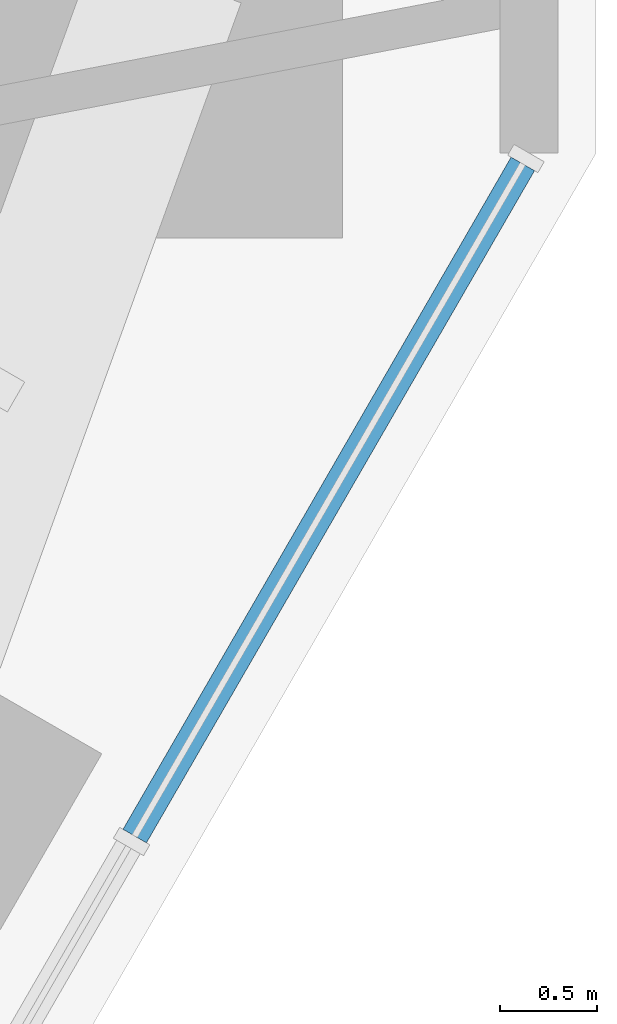
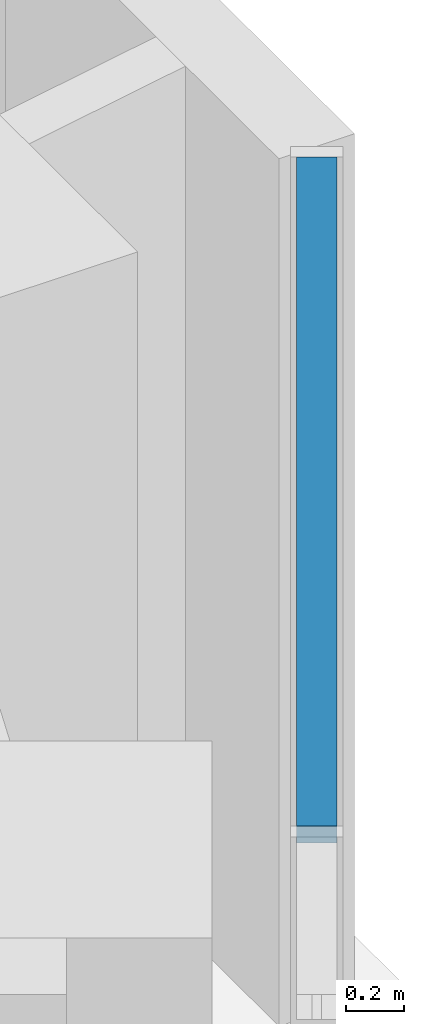
# One storey, part 6 of 17: 1 member, 1 element without a shape of its own.
"""IFC4 building model written with IfcOpenShell, lengths in metres."""

from ifc_helpers import new_model, si_unit, direction, frame, origin, origin_2d, place, context, subcontext, project, spatial, rectangle, extrude, material, material_profile, profile_set, type_object, element, aggregate, save


model = new_model("IFC4")

# Units and contexts
model_context = context("Model", 3, precision=1e-05, world=origin(), true_north=direction((0.0, 1.0)))
body_context = subcontext(model_context, "Body", "Model", "MODEL_VIEW")
ifc_project = project(units=[si_unit("LENGTHUNIT", "METRE"), si_unit("AREAUNIT", "SQUARE_METRE"), si_unit("VOLUMEUNIT", "CUBIC_METRE"), si_unit("PLANEANGLEUNIT", "RADIAN"), si_unit("MASSUNIT", "GRAM", prefix="KILO")], contexts=[model_context])

# Site, building, storey
site_placement = place(None, origin())
site = spatial("IfcSite", under=ifc_project, at=site_placement, CompositionType="ELEMENT")
building_placement = place(site_placement, origin())
building = spatial("IfcBuilding", under=site, at=building_placement, Name="Sandreach Pilgrim Tower", CompositionType="ELEMENT")
storey_placement = place(building_placement, frame((0.0, 0.0, 112.0)))
storey = spatial("IfcBuildingStorey", under=building, at=storey_placement, Name="L27", CompositionType="ELEMENT", Elevation=112.0)

# Curtain wall, member
ifc_material_1 = material(Name="Aluminium framed curtain wall", Category="aluminium")
curtain_wall_type = type_object("IfcCurtainWallType", Name="Hotel tower curtain wall", PredefinedType="NOTDEFINED", material=ifc_material_1)
curtain_wall_placement = place(storey_placement, origin())
curtain_wall = element("IfcCurtainWall", 1, at=curtain_wall_placement, inside=storey, type_object=curtain_wall_type, Name="CW-2 L27 SE", PredefinedType="NOTDEFINED")
ifc_material_2 = material(Name="Aluminium extrusion", Category="aluminium")
ifc_material_profile = material_profile(ifc_material_2, rectangle(XDim=0.139892578125, YDim=0.070068359375, at=origin_2d()), Name="CW-2T 140X70")
ifc_profile_set = profile_set([ifc_material_profile], Name="Aluminium extrusion")
member_type = type_object("IfcMemberType", Name="CW-2 transom", PredefinedType="USERDEFINED", material=ifc_profile_set)
member_placement = place(storey_placement, frame((28.6884765625, 4.7021484375, 3.60498046875), z_axis=(-0.500015851672, -0.866016251624, 0.0), x_axis=(0.866016251624, -0.500015851672, 0.0)))
member = element("IfcMember", 2, at=member_placement, type_object=member_type, Name="CW-2 head transom 1", ObjectType="TRANSOM", PredefinedType="USERDEFINED", context=body_context, shape_type="SweptSolid", body=[
    extrude(rectangle(XDim=0.139892578125, YDim=0.070068359375, at=origin_2d()), origin(), (0.0, 0.0, 1.0), 4.009521484375),
])
aggregate(curtain_wall, [member])

save(model, "model.ifc")
